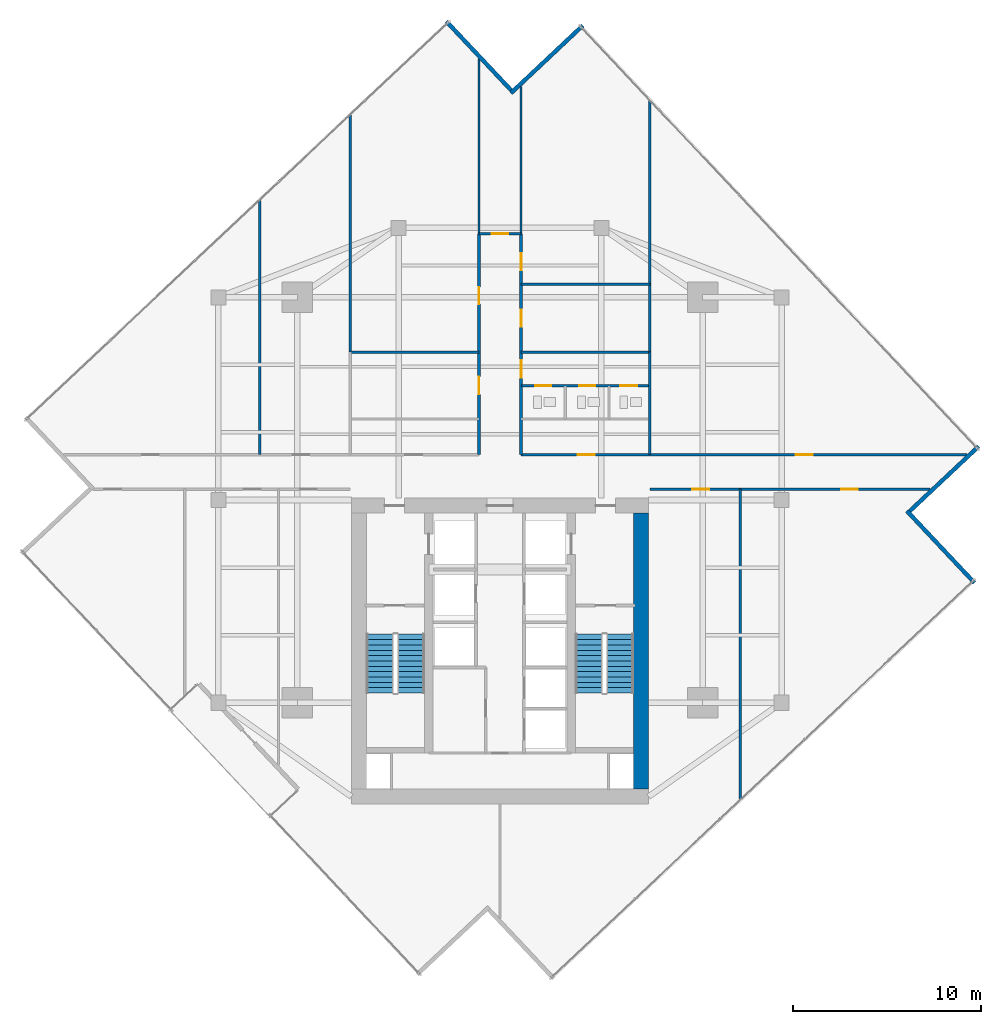
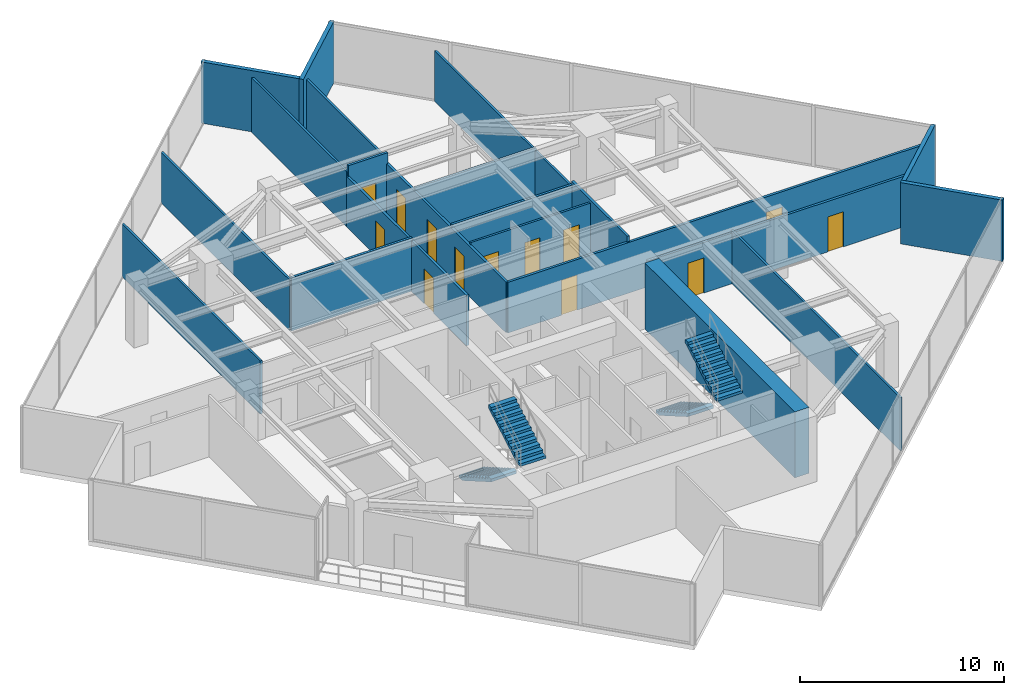
# One storey, part 22 of 24: 21 walls, 13 doors, 4 stair flights, 13 openings, 2 elements without a shape of their own.
"""IFC4 building model written with IfcOpenShell, lengths in metres."""

from ifc_helpers import new_model, si_unit, direction, frame, frame_2d, origin, place, context, subcontext, project, spatial, polyline, rectangle, outline, extrude, material, layer, layer_set, type_object, element, fill, aggregate, save


model = new_model("IFC4")

# Units and contexts
model_context = context("Model", 3, precision=1e-05, world=origin(), true_north=direction((0.0, 1.0)))
body_context = subcontext(model_context, "Body", "Model", "MODEL_VIEW")
ifc_project = project(units=[si_unit("LENGTHUNIT", "METRE"), si_unit("AREAUNIT", "SQUARE_METRE"), si_unit("VOLUMEUNIT", "CUBIC_METRE"), si_unit("PLANEANGLEUNIT", "RADIAN"), si_unit("MASSUNIT", "GRAM", prefix="KILO")], contexts=[model_context])

# Site, building, storey
site_placement = place(None, origin())
site = spatial("IfcSite", under=ifc_project, at=site_placement, CompositionType="ELEMENT")
building_placement = place(site_placement, origin())
building = spatial("IfcBuilding", under=site, at=building_placement, Name="Krantzveldt Concourse Tower", CompositionType="ELEMENT")
storey_placement = place(building_placement, frame((0.0, 0.0, 242.85009765625)))
storey = spatial("IfcBuildingStorey", under=building, at=storey_placement, Name="L59", CompositionType="ELEMENT", Elevation=242.85009765625)

# Walls
ifc_material_1 = material(Name="Anodised aluminium 6063-T6", Category="aluminium")
ifc_layer_1 = layer(ifc_material_1, 0.219970703125, Name="Anodised aluminium 6063-T6", Category="aluminium")
ifc_layer_set_1 = layer_set([ifc_layer_1], Name="Anodised aluminium 6063-T6 (WL-EXT-NOTCH220)")
wall_type_1 = type_object("IfcWallType", Name="WL-EXT-NOTCH220", PredefinedType="ELEMENTEDWALL", material=ifc_layer_set_1)
wall_1_placement = place(storey_placement, frame((36.58935546875, 48.53466796875, 0.0), z_axis=(0.0, 0.0, 1.0), x_axis=(-0.685181305796, 0.728372554527, 0.0)))
element("IfcWall", 1, at=wall_1_placement, inside=storey, type_object=wall_type_1, Name="EW-L59-NCH00", PredefinedType="ELEMENTEDWALL", context=body_context, shape_type="SweptSolid", body=[
    extrude(rectangle(XDim=5.025146484375, YDim=0.219970703125, at=frame_2d((2.5126953125, 0.0))), origin(), (0.0, 0.0, 1.0), 3.669921875),
])
wall_2_placement = place(storey_placement, frame((61.27294921875, 22.295166015625, 0.0), z_axis=(0.0, 0.0, 1.0), x_axis=(-0.685178828418, 0.728374884992, 0.0)))
element("IfcWall", 2, at=wall_2_placement, inside=storey, type_object=wall_type_1, Name="EW-L59-NCH12", PredefinedType="ELEMENTEDWALL", context=body_context, shape_type="SweptSolid", body=[
    extrude(rectangle(XDim=5.244873046875, YDim=0.219970703125, at=frame_2d((2.62255859375, 0.0))), origin(), (0.0, 0.0, 1.0), 3.669921875),
])
wall_3_placement = place(storey_placement, frame((57.834716796875, 26.110595703125, 0.0), z_axis=(0.0, 0.0, 1.0), x_axis=(0.728372554527, 0.685181305796, 0.0)))
element("IfcWall", 3, at=wall_3_placement, inside=storey, type_object=wall_type_1, Name="EW-L59-NCH13", PredefinedType="ELEMENTEDWALL", context=body_context, shape_type="SweptSolid", body=[
    extrude(rectangle(XDim=5.025146484375, YDim=0.219970703125, at=frame_2d((2.5126953125, 0.0))), origin(), (0.0, 0.0, 1.0), 3.669921875),
])
wall_4_placement = place(storey_placement, frame((40.40478515625, 51.972900390625, 0.0), z_axis=(0.0, 0.0, 1.0), x_axis=(-0.728374884992, -0.685178828418, 0.0)))
element("IfcWall", 4, at=wall_4_placement, inside=storey, type_object=wall_type_1, Name="EW-L59-NCH15", PredefinedType="ELEMENTEDWALL", context=body_context, shape_type="SweptSolid", body=[
    extrude(rectangle(XDim=5.244873046875, YDim=0.219970703125, at=frame_2d((2.62255859375, 0.0))), origin(), (0.0, 0.0, 1.0), 3.669921875),
])

# Wall, openings, doors
ifc_material_2 = material(Name="Fire-rated gypsum plasterboard on steel stud", Category="steel")
ifc_layer_2 = layer(ifc_material_2, 0.1201171875, Name="Fire-rated gypsum plasterboard on steel stud", Category="steel")
ifc_layer_set_2 = layer_set([ifc_layer_2], Name="Fire-rated gypsum plasterboard on steel stud (WL-PART-120)")
wall_type_2 = type_object("IfcWallType", Name="WL-PART-120", PredefinedType="PARTITIONING", material=ifc_layer_set_2)
wall_5_placement = place(storey_placement, frame((37.14990234375, 32.780029296875, 0.0), z_axis=(0.0, 0.0, 1.0), x_axis=(1.0, 0.0, 0.0)))
wall_5 = element("IfcWall", 5, at=wall_5_placement, inside=storey, type_object=wall_type_2, Name="WP-L59-WCHDR", PredefinedType="PARTITIONING", context=body_context, shape_type="SweptSolid", body=[
    extrude(rectangle(XDim=6.800048828125, YDim=0.1201171875, at=frame_2d((3.39990234375, 0.0))), origin(), (0.0, 0.0, 1.0), 3.179931640625),
])
opening_1_placement = place(wall_5_placement, frame((0.72509765625, 0.0, 0.0)))
opening_1 = element("IfcOpeningElement", 6, at=opening_1_placement, cuts=wall_5, Name="Opening D-IN085", PredefinedType="OPENING", context=body_context, shape_type="SweptSolid", body=[
    extrude(rectangle(XDim=0.85009765625, YDim=2.10009765625, at=frame_2d((0.425048828125, 1.050048828125))), frame((0.0, 0.070068359375, 0.0), z_axis=(0.0, -1.0, 0.0), x_axis=(1.0, 0.0, 0.0)), (0.0, 0.0, 1.0), 0.14013671875),
])
opening_2_placement = place(wall_5_placement, frame((3.06494140625, 0.0, 0.0)))
opening_2 = element("IfcOpeningElement", 7, at=opening_2_placement, cuts=wall_5, Name="Opening D-IN085", PredefinedType="OPENING", context=body_context, shape_type="SweptSolid", body=[
    extrude(rectangle(XDim=0.85009765625, YDim=2.10009765625, at=frame_2d((0.425048828125, 1.050048828125))), frame((0.0, 0.070068359375, 0.0), z_axis=(0.0, -1.0, 0.0), x_axis=(1.0, 0.0, 0.0)), (0.0, 0.0, 1.0), 0.14013671875),
])
opening_3_placement = place(wall_5_placement, frame((5.25, 0.0, 0.0)))
opening_3 = element("IfcOpeningElement", 8, at=opening_3_placement, cuts=wall_5, Name="Opening D-IN090", PredefinedType="OPENING", context=body_context, shape_type="SweptSolid", body=[
    extrude(rectangle(XDim=0.89990234375, YDim=2.10009765625, at=frame_2d((0.449951171875, 1.050048828125))), frame((0.0, 0.070068359375, 0.0), z_axis=(0.0, -1.0, 0.0), x_axis=(1.0, 0.0, 0.0)), (0.0, 0.0, 1.0), 0.14013671875),
])
ifc_material_3 = material(Name="Hardwood timber", Category="wood")
door_type_1 = type_object("IfcDoorType", Name="DR-INT-850", OperationType="SINGLE_SWING_LEFT", PredefinedType="DOOR", material=ifc_material_3)
door_1_placement = place(opening_1_placement, origin())
door_1 = element("IfcDoor", 9, at=door_1_placement, inside=storey, type_object=door_type_1, Name="DR-L59-WCM", OperationType="SINGLE_SWING_LEFT", OverallHeight=2.10009765625, OverallWidth=0.85009765625, PredefinedType="DOOR", context=body_context, shape_type="SweptSolid", body=[
    extrude(rectangle(XDim=0.85009765625, YDim=2.10009765625, at=frame_2d((0.425048828125, 1.050048828125))), frame((0.0, 0.02490234375, 0.0), z_axis=(0.0, -1.0, 0.0), x_axis=(1.0, 0.0, 0.0)), (0.0, 0.0, 1.0), 0.050048828125),
])
fill(opening_1, door_1)
door_2_placement = place(opening_2_placement, origin())
door_2 = element("IfcDoor", 10, at=door_2_placement, inside=storey, type_object=door_type_1, Name="DR-L59-WCF", OperationType="SINGLE_SWING_RIGHT", OverallHeight=2.10009765625, OverallWidth=0.85009765625, PredefinedType="DOOR", context=body_context, shape_type="SweptSolid", body=[
    extrude(rectangle(XDim=0.85009765625, YDim=2.10009765625, at=frame_2d((0.425048828125, 1.050048828125))), frame((0.0, 0.02490234375, 0.0), z_axis=(0.0, -1.0, 0.0), x_axis=(1.0, 0.0, 0.0)), (0.0, 0.0, 1.0), 0.050048828125),
])
fill(opening_2, door_2)
door_type_2 = type_object("IfcDoorType", Name="DR-INT-900", OperationType="SINGLE_SWING_LEFT", PredefinedType="DOOR", material=ifc_material_3)
door_3_placement = place(opening_3_placement, origin())
door_3 = element("IfcDoor", 11, at=door_3_placement, inside=storey, type_object=door_type_2, Name="DR-L59-WCA", OperationType="SINGLE_SWING_LEFT", OverallHeight=2.10009765625, OverallWidth=0.89990234375, PredefinedType="DOOR", context=body_context, shape_type="SweptSolid", body=[
    extrude(rectangle(XDim=0.89990234375, YDim=2.10009765625, at=frame_2d((0.449951171875, 1.050048828125))), frame((0.0, 0.02490234375, 0.0), z_axis=(0.0, -1.0, 0.0), x_axis=(1.0, 0.0, 0.0)), (0.0, 0.0, 1.0), 0.050048828125),
])
fill(opening_3, door_3)

# Walls
wall_6_placement = place(storey_placement, frame((34.8798828125, 40.8798828125, 0.0), z_axis=(0.0, 0.0, 1.0), x_axis=(0.0, 1.0, 0.0)))
element("IfcWall", 12, at=wall_6_placement, inside=storey, type_object=wall_type_2, Name="WP-L59-NTL", PredefinedType="PARTITIONING", context=body_context, shape_type="SweptSolid", body=[
    extrude(rectangle(XDim=9.303955078125, YDim=0.1201171875, at=frame_2d((4.65185546875, 0.0))), origin(), (0.0, 0.0, 1.0), 3.27978515625),
])
wall_7_placement = place(storey_placement, frame((37.1201171875, 40.8798828125, 0.0), z_axis=(0.0, 0.0, 1.0), x_axis=(0.0, 1.0, 0.0)))
element("IfcWall", 13, at=wall_7_placement, inside=storey, type_object=wall_type_2, Name="WP-L59-NTR", PredefinedType="PARTITIONING", context=body_context, shape_type="SweptSolid", body=[
    extrude(rectangle(XDim=7.84521484375, YDim=0.1201171875, at=frame_2d((3.922607421875, 0.0))), origin(), (0.0, 0.0, 1.0), 3.27978515625),
])
wall_8_placement = place(storey_placement, frame((23.199951171875, 29.1201171875, 0.0), z_axis=(0.0, 0.0, 1.0), x_axis=(0.0, 1.0, 0.0)))
element("IfcWall", 14, at=wall_8_placement, inside=storey, type_object=wall_type_2, Name="WP-L59-NWX1", PredefinedType="PARTITIONING", context=body_context, shape_type="SweptSolid", body=[
    extrude(rectangle(XDim=13.560302734375, YDim=0.1201171875, at=frame_2d((6.7802734375, 0.0))), origin(), (0.0, 0.0, 1.0), 3.179931640625),
])
wall_9_placement = place(storey_placement, frame((28.02001953125, 34.580078125, 0.0), z_axis=(0.0, 0.0, 1.0), x_axis=(0.0, 1.0, 0.0)))
element("IfcWall", 15, at=wall_9_placement, inside=storey, type_object=wall_type_2, Name="WP-L59-ISWL2", PredefinedType="PARTITIONING", context=body_context, shape_type="SweptSolid", body=[
    extrude(rectangle(XDim=12.634521484375, YDim=0.1201171875, at=frame_2d((6.3173828125, 0.0))), origin(), (0.0, 0.0, 1.0), 3.02978515625),
])
wall_10_placement = place(storey_placement, frame((43.97998046875, 34.580078125, 0.0), z_axis=(0.0, 0.0, 1.0), x_axis=(0.0, 1.0, 0.0)))
element("IfcWall", 16, at=wall_10_placement, inside=storey, type_object=wall_type_2, Name="WP-L59-ISER2", PredefinedType="PARTITIONING", context=body_context, shape_type="SweptSolid", body=[
    extrude(rectangle(XDim=13.424560546875, YDim=0.1201171875, at=frame_2d((6.71240234375, 0.0))), origin(), (0.0, 0.0, 1.0), 3.02978515625),
])
wall_11_placement = place(storey_placement, frame((37.1201171875, 38.199951171875, 0.0), z_axis=(0.0, 0.0, 1.0), x_axis=(1.0, 0.0, 0.0)))
element("IfcWall", 17, at=wall_11_placement, inside=storey, type_object=wall_type_2, Name="WP-L59-NEIY", PredefinedType="PARTITIONING", context=body_context, shape_type="SweptSolid", body=[
    extrude(rectangle(XDim=6.85986328125, YDim=0.1201171875, at=frame_2d((3.429931640625, 0.0))), origin(), (0.0, 0.0, 1.0), 3.179931640625),
])
wall_12_placement = place(storey_placement, frame((48.800048828125, 10.719482421875, 0.0), z_axis=(0.0, 0.0, 1.0), x_axis=(0.0, 1.0, 0.0)))
element("IfcWall", 18, at=wall_12_placement, inside=storey, type_object=wall_type_2, Name="WP-L59-SEX1", PredefinedType="PARTITIONING", context=body_context, shape_type="SweptSolid", body=[
    extrude(rectangle(XDim=16.560546875, YDim=0.1201171875, at=frame_2d((8.2802734375, 0.0))), origin(), (0.0, 0.0, 1.0), 3.179931640625),
])

# Wall, openings, doors
ifc_layer_3 = layer(ifc_material_2, 0.139892578125, Name="Fire-rated gypsum plasterboard on steel stud", Category="steel")
ifc_layer_set_3 = layer_set([ifc_layer_3], Name="Fire-rated gypsum plasterboard on steel stud (WL-PART-140)")
wall_type_3 = type_object("IfcWallType", Name="WL-PART-140", PredefinedType="PARTITIONING", material=ifc_layer_set_3)
wall_13_placement = place(storey_placement, frame((34.8798828125, 29.1201171875, 0.0), z_axis=(0.0, 0.0, 1.0), x_axis=(0.0, 1.0, 0.0)))
wall_13 = element("IfcWall", 19, at=wall_13_placement, inside=storey, type_object=wall_type_3, Name="WP-L59-SPWL", PredefinedType="PARTITIONING", context=body_context, shape_type="SweptSolid", body=[
    extrude(rectangle(XDim=11.759765625, YDim=0.139892578125, at=frame_2d((5.8798828125, 0.0))), origin(), (0.0, 0.0, 1.0), 3.02978515625),
])
opening_4_placement = place(wall_13_placement, frame((3.205078125, 0.0, 0.0)))
opening_4 = element("IfcOpeningElement", 20, at=opening_4_placement, cuts=wall_13, Name="Opening D-IN095", PredefinedType="OPENING", context=body_context, shape_type="SweptSolid", body=[
    extrude(rectangle(XDim=0.949951171875, YDim=2.10009765625, at=frame_2d((0.47509765625, 1.050048828125))), frame((0.0, 0.080078125, 0.0), z_axis=(0.0, -1.0, 0.0), x_axis=(1.0, 0.0, 0.0)), (0.0, 0.0, 1.0), 0.159912109375),
])
opening_5_placement = place(wall_13_placement, frame((8.02001953125, 0.0, 0.0)))
opening_5 = element("IfcOpeningElement", 21, at=opening_5_placement, cuts=wall_13, Name="Opening D-IN090", PredefinedType="OPENING", context=body_context, shape_type="SweptSolid", body=[
    extrude(rectangle(XDim=0.89990234375, YDim=2.10009765625, at=frame_2d((0.449951171875, 1.050048828125))), frame((0.0, 0.080078125, 0.0), z_axis=(0.0, -1.0, 0.0), x_axis=(1.0, 0.0, 0.0)), (0.0, 0.0, 1.0), 0.159912109375),
])
door_4_placement = place(opening_5_placement, origin())
door_4 = element("IfcDoor", 22, at=door_4_placement, inside=storey, type_object=door_type_2, Name="DR-L59-NWI1", OperationType="SINGLE_SWING_LEFT", OverallHeight=2.10009765625, OverallWidth=0.89990234375, PredefinedType="DOOR", context=body_context, shape_type="SweptSolid", body=[
    extrude(rectangle(XDim=0.89990234375, YDim=2.10009765625, at=frame_2d((0.449951171875, 1.050048828125))), frame((0.0, 0.02490234375, 0.0), z_axis=(0.0, -1.0, 0.0), x_axis=(1.0, 0.0, 0.0)), (0.0, 0.0, 1.0), 0.050048828125),
])
fill(opening_5, door_4)
door_type_3 = type_object("IfcDoorType", Name="DR-INT-950", OperationType="SINGLE_SWING_LEFT", PredefinedType="DOOR", material=ifc_material_3)
door_5_placement = place(opening_4_placement, origin())
door_5 = element("IfcDoor", 23, at=door_5_placement, inside=storey, type_object=door_type_3, Name="DR-L59-PNT", OperationType="SINGLE_SWING_RIGHT", OverallHeight=2.10009765625, OverallWidth=0.949951171875, PredefinedType="DOOR", context=body_context, shape_type="SweptSolid", body=[
    extrude(rectangle(XDim=0.949951171875, YDim=2.10009765625, at=frame_2d((0.47509765625, 1.050048828125))), frame((0.0, 0.02490234375, 0.0), z_axis=(0.0, -1.0, 0.0), x_axis=(1.0, 0.0, 0.0)), (0.0, 0.0, 1.0), 0.050048828125),
])
fill(opening_4, door_5)

wall_14_placement = place(storey_placement, frame((37.1201171875, 29.1201171875, 0.0), z_axis=(0.0, 0.0, 1.0), x_axis=(0.0, 1.0, 0.0)))
wall_14 = element("IfcWall", 24, at=wall_14_placement, inside=storey, type_object=wall_type_3, Name="WP-L59-SPER", PredefinedType="PARTITIONING", context=body_context, shape_type="SweptSolid", body=[
    extrude(rectangle(XDim=11.759765625, YDim=0.139892578125, at=frame_2d((5.8798828125, 0.0))), origin(), (0.0, 0.0, 1.0), 3.02978515625),
])
opening_6_placement = place(wall_14_placement, frame((4.0849609375, 0.0, 0.0)))
opening_6 = element("IfcOpeningElement", 25, at=opening_6_placement, cuts=wall_14, Name="Opening D-IN095", PredefinedType="OPENING", context=body_context, shape_type="SweptSolid", body=[
    extrude(rectangle(XDim=0.949951171875, YDim=2.10009765625, at=frame_2d((0.47509765625, 1.050048828125))), frame((0.0, 0.080078125, 0.0), z_axis=(0.0, -1.0, 0.0), x_axis=(1.0, 0.0, 0.0)), (0.0, 0.0, 1.0), 0.159912109375),
])
opening_7_placement = place(wall_14_placement, frame((6.820068359375, 0.0, 0.0)))
opening_7 = element("IfcOpeningElement", 26, at=opening_7_placement, cuts=wall_14, Name="Opening D-IN090", PredefinedType="OPENING", context=body_context, shape_type="SweptSolid", body=[
    extrude(rectangle(XDim=0.89990234375, YDim=2.10009765625, at=frame_2d((0.449951171875, 1.050048828125))), frame((0.0, 0.080078125, 0.0), z_axis=(0.0, -1.0, 0.0), x_axis=(1.0, 0.0, 0.0)), (0.0, 0.0, 1.0), 0.159912109375),
])
opening_8_placement = place(wall_14_placement, frame((9.830078125, 0.0, 0.0)))
opening_8 = element("IfcOpeningElement", 27, at=opening_8_placement, cuts=wall_14, Name="Opening D-IN090", PredefinedType="OPENING", context=body_context, shape_type="SweptSolid", body=[
    extrude(rectangle(XDim=0.89990234375, YDim=2.10009765625, at=frame_2d((0.449951171875, 1.050048828125))), frame((0.0, 0.080078125, 0.0), z_axis=(0.0, -1.0, 0.0), x_axis=(1.0, 0.0, 0.0)), (0.0, 0.0, 1.0), 0.159912109375),
])
door_6_placement = place(opening_7_placement, origin())
door_6 = element("IfcDoor", 28, at=door_6_placement, inside=storey, type_object=door_type_2, Name="DR-L59-NEI1", OperationType="SINGLE_SWING_LEFT", OverallHeight=2.10009765625, OverallWidth=0.89990234375, PredefinedType="DOOR", context=body_context, shape_type="SweptSolid", body=[
    extrude(rectangle(XDim=0.89990234375, YDim=2.10009765625, at=frame_2d((0.449951171875, 1.050048828125))), frame((0.0, 0.02490234375, 0.0), z_axis=(0.0, -1.0, 0.0), x_axis=(1.0, 0.0, 0.0)), (0.0, 0.0, 1.0), 0.050048828125),
])
fill(opening_7, door_6)
door_7_placement = place(opening_8_placement, origin())
door_7 = element("IfcDoor", 29, at=door_7_placement, inside=storey, type_object=door_type_2, Name="DR-L59-NEI2", OperationType="SINGLE_SWING_LEFT", OverallHeight=2.10009765625, OverallWidth=0.89990234375, PredefinedType="DOOR", context=body_context, shape_type="SweptSolid", body=[
    extrude(rectangle(XDim=0.89990234375, YDim=2.10009765625, at=frame_2d((0.449951171875, 1.050048828125))), frame((0.0, 0.02490234375, 0.0), z_axis=(0.0, -1.0, 0.0), x_axis=(1.0, 0.0, 0.0)), (0.0, 0.0, 1.0), 0.050048828125),
])
fill(opening_8, door_7)
door_8_placement = place(opening_6_placement, origin())
door_8 = element("IfcDoor", 30, at=door_8_placement, inside=storey, type_object=door_type_3, Name="DR-L59-WCLB", OperationType="SINGLE_SWING_LEFT", OverallHeight=2.10009765625, OverallWidth=0.949951171875, PredefinedType="DOOR", context=body_context, shape_type="SweptSolid", body=[
    extrude(rectangle(XDim=0.949951171875, YDim=2.10009765625, at=frame_2d((0.47509765625, 1.050048828125))), frame((0.0, 0.02490234375, 0.0), z_axis=(0.0, -1.0, 0.0), x_axis=(1.0, 0.0, 0.0)), (0.0, 0.0, 1.0), 0.050048828125),
])
fill(opening_6, door_8)

# Wall, opening, door
wall_15_placement = place(storey_placement, frame((34.8798828125, 40.8798828125, 0.0), z_axis=(0.0, 0.0, 1.0), x_axis=(1.0, 0.0, 0.0)))
wall_15 = element("IfcWall", 31, at=wall_15_placement, inside=storey, type_object=wall_type_3, Name="WP-L59-SPTOP", PredefinedType="PARTITIONING", context=body_context, shape_type="SweptSolid", body=[
    extrude(rectangle(XDim=2.240234375, YDim=0.139892578125, at=frame_2d((1.1201171875, 0.0))), origin(), (0.0, 0.0, 1.0), 3.669921875),
])
opening_9_placement = place(wall_15_placement, frame((0.669921875, 0.0, 0.0)))
opening_9 = element("IfcOpeningElement", 32, at=opening_9_placement, cuts=wall_15, Name="Opening D-IN090", PredefinedType="OPENING", context=body_context, shape_type="SweptSolid", body=[
    extrude(rectangle(XDim=0.89990234375, YDim=2.10009765625, at=frame_2d((0.449951171875, 1.050048828125))), frame((0.0, 0.080078125, 0.0), z_axis=(0.0, -1.0, 0.0), x_axis=(1.0, 0.0, 0.0)), (0.0, 0.0, 1.0), 0.159912109375),
])
door_9_placement = place(opening_9_placement, origin())
door_9 = element("IfcDoor", 33, at=door_9_placement, inside=storey, type_object=door_type_2, Name="DR-L59-NTOP", OperationType="SINGLE_SWING_LEFT", OverallHeight=2.10009765625, OverallWidth=0.89990234375, PredefinedType="DOOR", context=body_context, shape_type="SweptSolid", body=[
    extrude(rectangle(XDim=0.89990234375, YDim=2.10009765625, at=frame_2d((0.449951171875, 1.050048828125))), frame((0.0, 0.02490234375, 0.0), z_axis=(0.0, -1.0, 0.0), x_axis=(1.0, 0.0, 0.0)), (0.0, 0.0, 1.0), 0.050048828125),
])
fill(opening_9, door_9)

# Wall, openings, doors
wall_16_placement = place(storey_placement, frame((37.1201171875, 29.1201171875, 0.0), z_axis=(0.0, 0.0, 1.0), x_axis=(1.0, 0.0, 0.0)))
wall_16 = element("IfcWall", 34, at=wall_16_placement, inside=storey, type_object=wall_type_3, Name="WP-L59-EWNR", PredefinedType="PARTITIONING", context=body_context, shape_type="SweptSolid", body=[
    extrude(rectangle(XDim=23.745849609375, YDim=0.139892578125, at=frame_2d((11.873046875, 0.0))), origin(), (0.0, 0.0, 1.0), 3.02978515625),
])
opening_10_placement = place(wall_16_placement, frame((3.030029296875, 0.0, 0.0)))
opening_10 = element("IfcOpeningElement", 35, at=opening_10_placement, cuts=wall_16, Name="Opening D-IN090", PredefinedType="OPENING", context=body_context, shape_type="SweptSolid", body=[
    extrude(rectangle(XDim=0.89990234375, YDim=2.10009765625, at=frame_2d((0.449951171875, 1.050048828125))), frame((0.0, 0.080078125, 0.0), z_axis=(0.0, -1.0, 0.0), x_axis=(1.0, 0.0, 0.0)), (0.0, 0.0, 1.0), 0.159912109375),
])
opening_11_placement = place(wall_16_placement, frame((14.639892578125, 0.0, 0.0)))
opening_11 = element("IfcOpeningElement", 36, at=opening_11_placement, cuts=wall_16, Name="Opening D-IN090", PredefinedType="OPENING", context=body_context, shape_type="SweptSolid", body=[
    extrude(rectangle(XDim=0.89990234375, YDim=2.10009765625, at=frame_2d((0.449951171875, 1.050048828125))), frame((0.0, 0.080078125, 0.0), z_axis=(0.0, -1.0, 0.0), x_axis=(1.0, 0.0, 0.0)), (0.0, 0.0, 1.0), 0.159912109375),
])
door_10_placement = place(opening_10_placement, origin())
door_10 = element("IfcDoor", 37, at=door_10_placement, inside=storey, type_object=door_type_2, Name="DR-L59-ALCR", OperationType="SINGLE_SWING_RIGHT", OverallHeight=2.10009765625, OverallWidth=0.89990234375, PredefinedType="DOOR", context=body_context, shape_type="SweptSolid", body=[
    extrude(rectangle(XDim=0.89990234375, YDim=2.10009765625, at=frame_2d((0.449951171875, 1.050048828125))), frame((0.0, 0.02490234375, 0.0), z_axis=(0.0, -1.0, 0.0), x_axis=(1.0, 0.0, 0.0)), (0.0, 0.0, 1.0), 0.050048828125),
])
fill(opening_10, door_10)
door_11_placement = place(opening_11_placement, origin())
door_11 = element("IfcDoor", 38, at=door_11_placement, inside=storey, type_object=door_type_2, Name="DR-L59-NEX1", OperationType="SINGLE_SWING_RIGHT", OverallHeight=2.10009765625, OverallWidth=0.89990234375, PredefinedType="DOOR", context=body_context, shape_type="SweptSolid", body=[
    extrude(rectangle(XDim=0.89990234375, YDim=2.10009765625, at=frame_2d((0.449951171875, 1.050048828125))), frame((0.0, 0.02490234375, 0.0), z_axis=(0.0, -1.0, 0.0), x_axis=(1.0, 0.0, 0.0)), (0.0, 0.0, 1.0), 0.050048828125),
])
fill(opening_11, door_11)

wall_17_placement = place(storey_placement, frame((44.0, 27.280029296875, 0.0), z_axis=(0.0, 0.0, 1.0), x_axis=(1.0, 0.0, 0.0)))
wall_17 = element("IfcWall", 39, at=wall_17_placement, inside=storey, type_object=wall_type_3, Name="WP-L59-EWSR", PredefinedType="PARTITIONING", context=body_context, shape_type="SweptSolid", body=[
    extrude(rectangle(XDim=14.909912109375, YDim=0.139892578125, at=frame_2d((7.455078125, 0.0))), origin(), (0.0, 0.0, 1.0), 3.02978515625),
])
opening_12_placement = place(wall_17_placement, frame((2.25, 0.0, 0.0)))
opening_12 = element("IfcOpeningElement", 40, at=opening_12_placement, cuts=wall_17, Name="Opening D-IN090", PredefinedType="OPENING", context=body_context, shape_type="SweptSolid", body=[
    extrude(rectangle(XDim=0.89990234375, YDim=2.10009765625, at=frame_2d((0.449951171875, 1.050048828125))), frame((0.0, 0.080078125, 0.0), z_axis=(0.0, -1.0, 0.0), x_axis=(1.0, 0.0, 0.0)), (0.0, 0.0, 1.0), 0.159912109375),
])
opening_13_placement = place(wall_17_placement, frame((10.169921875, 0.0, 0.0)))
opening_13 = element("IfcOpeningElement", 41, at=opening_13_placement, cuts=wall_17, Name="Opening D-IN090", PredefinedType="OPENING", context=body_context, shape_type="SweptSolid", body=[
    extrude(rectangle(XDim=0.89990234375, YDim=2.10009765625, at=frame_2d((0.449951171875, 1.050048828125))), frame((0.0, 0.080078125, 0.0), z_axis=(0.0, -1.0, 0.0), x_axis=(1.0, 0.0, 0.0)), (0.0, 0.0, 1.0), 0.159912109375),
])
door_12_placement = place(opening_12_placement, origin())
door_12 = element("IfcDoor", 42, at=door_12_placement, inside=storey, type_object=door_type_2, Name="DR-L59-SEX1", OperationType="SINGLE_SWING_RIGHT", OverallHeight=2.10009765625, OverallWidth=0.89990234375, PredefinedType="DOOR", context=body_context, shape_type="SweptSolid", body=[
    extrude(rectangle(XDim=0.89990234375, YDim=2.10009765625, at=frame_2d((0.449951171875, 1.050048828125))), frame((0.0, 0.02490234375, 0.0), z_axis=(0.0, -1.0, 0.0), x_axis=(1.0, 0.0, 0.0)), (0.0, 0.0, 1.0), 0.050048828125),
])
fill(opening_12, door_12)
door_13_placement = place(opening_13_placement, origin())
door_13 = element("IfcDoor", 43, at=door_13_placement, inside=storey, type_object=door_type_2, Name="DR-L59-SEX2", OperationType="SINGLE_SWING_RIGHT", OverallHeight=2.10009765625, OverallWidth=0.89990234375, PredefinedType="DOOR", context=body_context, shape_type="SweptSolid", body=[
    extrude(rectangle(XDim=0.89990234375, YDim=2.10009765625, at=frame_2d((0.449951171875, 1.050048828125))), frame((0.0, 0.02490234375, 0.0), z_axis=(0.0, -1.0, 0.0), x_axis=(1.0, 0.0, 0.0)), (0.0, 0.0, 1.0), 0.050048828125),
])
fill(opening_13, door_13)

# Walls
for number, where, z_axis, x_axis, name in (
    (44, (28.02001953125, 34.580078125, 0.0), (0.0, 0.0, 1.0), (1.0, 0.0, 0.0), "WP-L59-ISNL"),
    (45, (37.1201171875, 34.580078125, 0.0), (0.0, 0.0, 1.0), (1.0, 0.0, 0.0), "WP-L59-ISNR"),
):
    element("IfcWall", number, at=place(storey_placement, frame(where, z_axis=z_axis, x_axis=x_axis)), inside=storey, type_object=wall_type_3, Name=name, PredefinedType="PARTITIONING", context=body_context, shape_type="SweptSolid", body=[
        extrude(rectangle(XDim=6.85986328125, YDim=0.139892578125, at=frame_2d((3.429931640625, 0.0))), origin(), (0.0, 0.0, 1.0), 3.179931640625),
    ])
wall_18_placement = place(storey_placement, frame((43.97998046875, 29.1201171875, 0.0), z_axis=(0.0, 0.0, 1.0), x_axis=(0.0, 1.0, 0.0)))
element("IfcWall", 46, at=wall_18_placement, inside=storey, type_object=wall_type_3, Name="WP-L59-ISER", PredefinedType="PARTITIONING", context=body_context, shape_type="SweptSolid", body=[
    extrude(rectangle(XDim=5.4599609375, YDim=0.139892578125, at=frame_2d((2.72998046875, 0.0))), origin(), (0.0, 0.0, 1.0), 3.369873046875),
])
ifc_material_4 = material(Name="Concrete C60/75", Category="concrete")
ifc_layer_4 = layer(ifc_material_4, 0.800048828125, Name="Concrete C60/75", Category="concrete")
ifc_layer_set_4 = layer_set([ifc_layer_4], Name="Concrete C60/75 (WL-SHEAR-800)")
wall_type_4 = type_object("IfcWallType", Name="WL-SHEAR-800", PredefinedType="SHEAR", material=ifc_layer_set_4)
wall_19_placement = place(storey_placement, frame((43.52001953125, 11.300048828125, 0.0), z_axis=(0.0, 0.0, 1.0), x_axis=(0.0, 1.0, 0.0)))
element("IfcWall", 47, at=wall_19_placement, inside=storey, type_object=wall_type_4, Name="CW-L59-E", PredefinedType="SHEAR", context=body_context, shape_type="SweptSolid", body=[
    extrude(rectangle(XDim=14.699951171875, YDim=0.800048828125, at=frame_2d((7.35009765625, 0.0))), origin(), (0.0, 0.0, 1.0), 3.949951171875),
])

# Stair, stair flights
ifc_material_5 = material(Name="Precast concrete C40/50", Category="concrete")
stair_type = type_object("IfcStairType", Name="STR-CORE-DOGLEG", PredefinedType="HALF_TURN_STAIR", material=ifc_material_5)
stair_1_placement = place(storey_placement, origin())
stair_1 = element("IfcStair", 48, at=stair_1_placement, inside=storey, type_object=stair_type, Name="L59 Protected Escape Stair ST-1", PredefinedType="HALF_TURN_STAIR")
stair_flight_type = type_object("IfcStairFlightType", Name="STF-CORE-1450", PredefinedType="STRAIGHT", material=ifc_material_5)
stair_flight_1_placement = place(storey_placement, frame((29.60498046875, 19.550048828125, 0.0), z_axis=(0.0, 0.0, 1.0), x_axis=(0.0, -1.0, 0.0)))
stair_flight_1 = element("IfcStairFlight", 49, at=stair_flight_1_placement, type_object=stair_flight_type, Name="ST-1 flight 1", NumberOfRisers=12, NumberOfTreads=11, PredefinedType="STRAIGHT", RiserHeight=0.164583333, TreadLength=0.285, context=body_context, shape_type="SweptSolid", body=[
    extrude(outline(polyline([(0.0, 0.0), (0.0, 0.16455078125), (0.284912109375, 0.16455078125), (0.284912109375, 0.3291015625), (0.570068359375, 0.3291015625), (0.570068359375, 0.49365234375), (0.85498046875, 0.49365234375), (0.85498046875, 0.658447265625), (1.139892578125, 0.658447265625), (1.139892578125, 0.822998046875), (1.425048828125, 0.822998046875), (1.425048828125, 0.987548828125), (1.7099609375, 0.987548828125), (1.7099609375, 1.152099609375), (1.9951171875, 1.152099609375), (1.9951171875, 1.316650390625), (2.280029296875, 1.316650390625), (2.280029296875, 1.481201171875), (2.56494140625, 1.481201171875), (2.56494140625, 1.645751953125), (2.85009765625, 1.645751953125), (2.85009765625, 1.810302734375), (3.135009765625, 1.810302734375), (3.135009765625, 1.97509765625), (3.135009765625, 1.63720703125), (0.2998046875, 0.0), (0.0, 0.0)])), frame((0.0, 0.72509765625, 0.0), z_axis=(0.0, -1.0, 0.0), x_axis=(1.0, 0.0, 0.0)), (0.0, 0.0, 1.0), 1.449951171875),
])
stair_flight_2_placement = place(storey_placement, frame((31.2548828125, 16.4150390625, 1.974853515625), z_axis=(0.0, 0.0, 1.0), x_axis=(0.0, 1.0, 0.0)))
stair_flight_2 = element("IfcStairFlight", 50, at=stair_flight_2_placement, type_object=stair_flight_type, Name="ST-1 flight 2", NumberOfRisers=12, NumberOfTreads=11, PredefinedType="STRAIGHT", RiserHeight=0.164583333, TreadLength=0.285, context=body_context, shape_type="SweptSolid", body=[
    extrude(outline(polyline([(0.0, 0.0), (0.0, 0.16455078125), (0.284912109375, 0.16455078125), (0.284912109375, 0.3291015625), (0.570068359375, 0.3291015625), (0.570068359375, 0.49365234375), (0.85498046875, 0.49365234375), (0.85498046875, 0.658447265625), (1.139892578125, 0.658447265625), (1.139892578125, 0.822998046875), (1.425048828125, 0.822998046875), (1.425048828125, 0.987548828125), (1.7099609375, 0.987548828125), (1.7099609375, 1.152099609375), (1.9951171875, 1.152099609375), (1.9951171875, 1.316650390625), (2.280029296875, 1.316650390625), (2.280029296875, 1.481201171875), (2.56494140625, 1.481201171875), (2.56494140625, 1.645751953125), (2.85009765625, 1.645751953125), (2.85009765625, 1.810302734375), (3.135009765625, 1.810302734375), (3.135009765625, 1.97509765625), (3.135009765625, 1.63720703125), (0.2998046875, 0.0), (0.0, 0.0)])), frame((0.0, 0.72509765625, 0.0), z_axis=(0.0, -1.0, 0.0), x_axis=(1.0, 0.0, 0.0)), (0.0, 0.0, 1.0), 1.449951171875),
])
aggregate(stair_1, [stair_flight_1, stair_flight_2])

stair_2_placement = place(storey_placement, origin())
stair_2 = element("IfcStair", 51, at=stair_2_placement, inside=storey, type_object=stair_type, Name="L59 Protected Escape Stair ST-2", PredefinedType="HALF_TURN_STAIR")
stair_flight_3_placement = place(storey_placement, frame((40.7451171875, 19.550048828125, 0.0), z_axis=(0.0, 0.0, 1.0), x_axis=(0.0, -1.0, 0.0)))
stair_flight_3 = element("IfcStairFlight", 52, at=stair_flight_3_placement, type_object=stair_flight_type, Name="ST-2 flight 1", NumberOfRisers=12, NumberOfTreads=11, PredefinedType="STRAIGHT", RiserHeight=0.164583333, TreadLength=0.285, context=body_context, shape_type="SweptSolid", body=[
    extrude(outline(polyline([(0.0, 0.0), (0.0, 0.16455078125), (0.284912109375, 0.16455078125), (0.284912109375, 0.3291015625), (0.570068359375, 0.3291015625), (0.570068359375, 0.49365234375), (0.85498046875, 0.49365234375), (0.85498046875, 0.658447265625), (1.139892578125, 0.658447265625), (1.139892578125, 0.822998046875), (1.425048828125, 0.822998046875), (1.425048828125, 0.987548828125), (1.7099609375, 0.987548828125), (1.7099609375, 1.152099609375), (1.9951171875, 1.152099609375), (1.9951171875, 1.316650390625), (2.280029296875, 1.316650390625), (2.280029296875, 1.481201171875), (2.56494140625, 1.481201171875), (2.56494140625, 1.645751953125), (2.85009765625, 1.645751953125), (2.85009765625, 1.810302734375), (3.135009765625, 1.810302734375), (3.135009765625, 1.97509765625), (3.135009765625, 1.63720703125), (0.2998046875, 0.0), (0.0, 0.0)])), frame((0.0, 0.72509765625, 0.0), z_axis=(0.0, -1.0, 0.0), x_axis=(1.0, 0.0, 0.0)), (0.0, 0.0, 1.0), 1.449951171875),
])
stair_flight_4_placement = place(storey_placement, frame((42.39501953125, 16.4150390625, 1.974853515625), z_axis=(0.0, 0.0, 1.0), x_axis=(0.0, 1.0, 0.0)))
stair_flight_4 = element("IfcStairFlight", 53, at=stair_flight_4_placement, type_object=stair_flight_type, Name="ST-2 flight 2", NumberOfRisers=12, NumberOfTreads=11, PredefinedType="STRAIGHT", RiserHeight=0.164583333, TreadLength=0.285, context=body_context, shape_type="SweptSolid", body=[
    extrude(outline(polyline([(0.0, 0.0), (0.0, 0.16455078125), (0.284912109375, 0.16455078125), (0.284912109375, 0.3291015625), (0.570068359375, 0.3291015625), (0.570068359375, 0.49365234375), (0.85498046875, 0.49365234375), (0.85498046875, 0.658447265625), (1.139892578125, 0.658447265625), (1.139892578125, 0.822998046875), (1.425048828125, 0.822998046875), (1.425048828125, 0.987548828125), (1.7099609375, 0.987548828125), (1.7099609375, 1.152099609375), (1.9951171875, 1.152099609375), (1.9951171875, 1.316650390625), (2.280029296875, 1.316650390625), (2.280029296875, 1.481201171875), (2.56494140625, 1.481201171875), (2.56494140625, 1.645751953125), (2.85009765625, 1.645751953125), (2.85009765625, 1.810302734375), (3.135009765625, 1.810302734375), (3.135009765625, 1.97509765625), (3.135009765625, 1.63720703125), (0.2998046875, 0.0), (0.0, 0.0)])), frame((0.0, 0.72509765625, 0.0), z_axis=(0.0, -1.0, 0.0), x_axis=(1.0, 0.0, 0.0)), (0.0, 0.0, 1.0), 1.449951171875),
])
aggregate(stair_2, [stair_flight_3, stair_flight_4])

save(model, "model.ifc")
